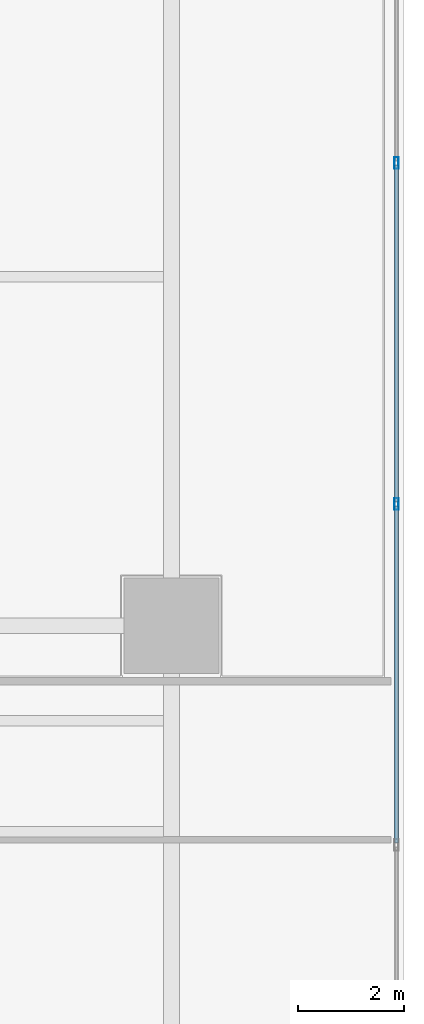
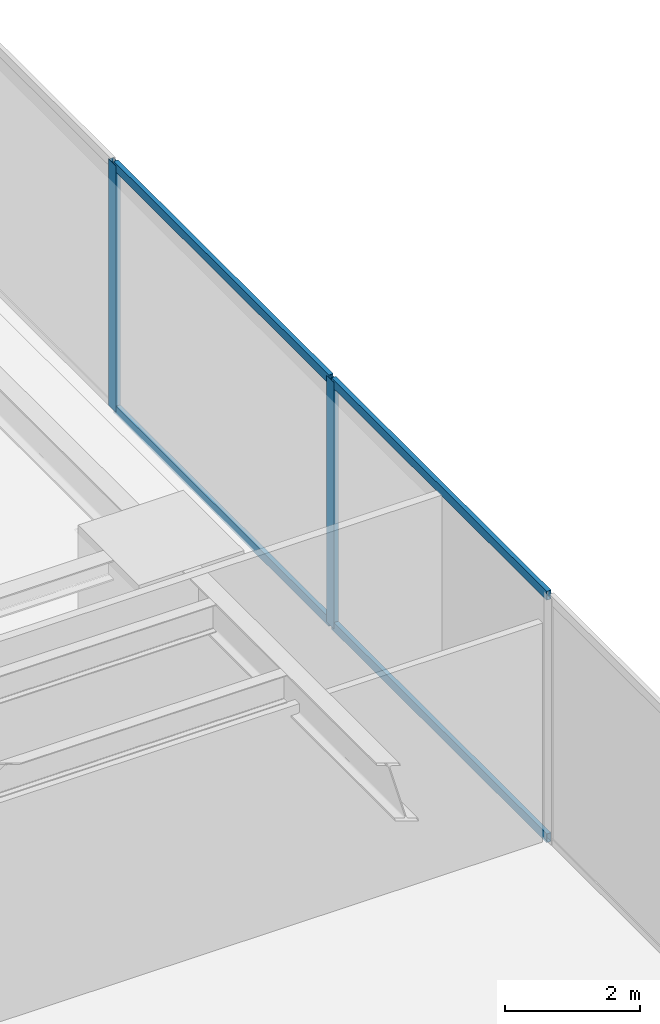
# One storey, part 9 of 16: 6 members, 1 element without a shape of its own.
"""IFC4 building model written with IfcOpenShell, lengths in metres."""

from ifc_helpers import new_model, si_unit, direction, frame, origin, origin_with_axes, origin_2d, place, context, subcontext, project, spatial, hollow_rectangle, extrude, source, transform, mapped, material, layer, layer_set, material_profile, profile_set, type_object, element, aggregate, save


model = new_model("IFC4")

# Units and contexts
model_context = context("Model", 3, precision=1e-05, world=origin(), true_north=direction((0.0, 1.0)))
body_context = subcontext(model_context, "Body", "Model", "MODEL_VIEW")
ifc_project = project(units=[si_unit("LENGTHUNIT", "METRE"), si_unit("AREAUNIT", "SQUARE_METRE"), si_unit("VOLUMEUNIT", "CUBIC_METRE"), si_unit("PLANEANGLEUNIT", "RADIAN"), si_unit("MASSUNIT", "GRAM", prefix="KILO")], contexts=[model_context])

# Site, building, storey
site_placement = place(None, origin())
site = spatial("IfcSite", under=ifc_project, at=site_placement, CompositionType="ELEMENT")
building_placement = place(site_placement, origin())
building = spatial("IfcBuilding", under=site, at=building_placement, Name="Kolvaren Waterfront Exchange", CompositionType="ELEMENT")
storey_placement = place(building_placement, frame((0.0, 0.0, 10.39990234375)))
storey = spatial("IfcBuildingStorey", under=building, at=storey_placement, Name="L03", CompositionType="ELEMENT", Elevation=10.39990234375)

# Curtain wall, members
ifc_material_1 = material(Name="Anodised bronze aluminium 6063-T6", Category="aluminium")
ifc_layer = layer(ifc_material_1, 0.219970703125, Name="Anodised bronze aluminium 6063-T6")
ifc_layer_set = layer_set([ifc_layer], Name="Anodised bronze aluminium 6063-T6")
curtain_wall_type = type_object("IfcCurtainWallType", Name="ARC-CW-SYS4", PredefinedType="USERDEFINED", material=ifc_layer_set)
curtain_wall_placement = place(storey_placement, origin())
curtain_wall = element("IfcCurtainWall", 1, at=curtain_wall_placement, inside=storey, type_object=curtain_wall_type, Name="L03 stick curtain wall CW4 (CW-L03-E1)", ObjectType="STICK CURTAIN WALL", PredefinedType="USERDEFINED")
ifc_material_2 = material(Name="Anodised aluminium 6063-T6", Category="aluminium")
ifc_material_profile_1 = material_profile(ifc_material_2, hollow_rectangle(XDim=0.074951171875, YDim=0.159912109375, WallThickness=0.00439453125, at=origin_2d()), Name="ALU-TRN-160x75x4.5")
ifc_profile_set_1 = profile_set([ifc_material_profile_1], Name="Anodised aluminium 6063-T6")
member_type_1 = type_object("IfcMemberType", Name="ARC-CWT-160", PredefinedType="USERDEFINED", material=ifc_profile_set_1)
shared_shape_1 = source(origin_with_axes(), body_context, "Body", "SweptSolid", [
    extrude(hollow_rectangle(XDim=0.074951171875, YDim=0.159912109375, WallThickness=0.00439453125, at=origin_2d()), origin(), (0.0, 0.0, 1.0), 6.371826171875),
])
member_1_placement = place(storey_placement, frame((64.659912109375, 13.293212890625, 0.03759765625), z_axis=(0.0, 1.0, 0.0), x_axis=(-1.0, 0.0, 0.0)))
member_1 = element("IfcMember", 2, at=member_1_placement, type_object=member_type_1, Name="CW4 transom 3.1", ObjectType="TRANSOM", PredefinedType="USERDEFINED", context=body_context, shape_type="MappedRepresentation", body=[
    mapped(shared_shape_1, transform((0.0, 0.0, 0.0), x_axis=(1.0, 0.0, 0.0), y_axis=(0.0, 1.0, 0.0), z_axis=(0.0, 0.0, 1.0), scale=1.0)),
])
member_2_placement = place(storey_placement, frame((64.659912109375, 13.293212890625, 4.422607421875), z_axis=(0.0, 1.0, 0.0), x_axis=(-1.0, 0.0, 0.0)))
member_2 = element("IfcMember", 3, at=member_2_placement, type_object=member_type_1, Name="CW4 transom 3.2", ObjectType="TRANSOM", PredefinedType="USERDEFINED", context=body_context, shape_type="MappedRepresentation", body=[
    mapped(shared_shape_1, transform((0.0, 0.0, 0.0), x_axis=(1.0, 0.0, 0.0), y_axis=(0.0, 1.0, 0.0), z_axis=(0.0, 0.0, 1.0), scale=1.0)),
])
shared_shape_2 = source(origin_with_axes(), body_context, "Body", "SweptSolid", [
    extrude(hollow_rectangle(XDim=0.074951171875, YDim=0.159912109375, WallThickness=0.00439453125, at=origin_2d()), origin(), (0.0, 0.0, 1.0), 6.37158203125),
])
member_3_placement = place(storey_placement, frame((64.659912109375, 19.7451171875, 0.03759765625), z_axis=(0.0, 1.0, 0.0), x_axis=(-1.0, 0.0, 0.0)))
member_3 = element("IfcMember", 4, at=member_3_placement, type_object=member_type_1, Name="CW4 transom 4.1", ObjectType="TRANSOM", PredefinedType="USERDEFINED", context=body_context, shape_type="MappedRepresentation", body=[
    mapped(shared_shape_2, transform((0.0, 0.0, 0.0), x_axis=(1.0, 0.0, 0.0), y_axis=(0.0, 1.0, 0.0), z_axis=(0.0, 0.0, 1.0), scale=1.0)),
])
member_4_placement = place(storey_placement, frame((64.659912109375, 19.7451171875, 4.422607421875), z_axis=(0.0, 1.0, 0.0), x_axis=(-1.0, 0.0, 0.0)))
member_4 = element("IfcMember", 5, at=member_4_placement, type_object=member_type_1, Name="CW4 transom 4.2", ObjectType="TRANSOM", PredefinedType="USERDEFINED", context=body_context, shape_type="MappedRepresentation", body=[
    mapped(shared_shape_2, transform((0.0, 0.0, 0.0), x_axis=(1.0, 0.0, 0.0), y_axis=(0.0, 1.0, 0.0), z_axis=(0.0, 0.0, 1.0), scale=1.0)),
])
ifc_material_profile_2 = material_profile(ifc_material_2, hollow_rectangle(XDim=0.080078125, YDim=0.219970703125, WallThickness=0.0048828125, at=origin_2d()), Name="ALU-MUL-220x80x5")
ifc_profile_set_2 = profile_set([ifc_material_profile_2], Name="Anodised aluminium 6063-T6")
member_type_2 = type_object("IfcMemberType", Name="ARC-CWM-220", PredefinedType="MULLION", material=ifc_profile_set_2)
shared_shape_3 = source(origin_with_axes(), body_context, "Body", "SweptSolid", [
    extrude(hollow_rectangle(XDim=0.080078125, YDim=0.219970703125, WallThickness=0.0048828125, at=origin_2d()), origin(), (0.0, 0.0, 1.0), 4.460205078125),
])
member_5_placement = place(storey_placement, frame((64.659912109375, 19.705078125, 0.0), z_axis=(0.0, 0.0, 1.0), x_axis=(-1.0, 0.0, 0.0)))
member_5 = element("IfcMember", 6, at=member_5_placement, type_object=member_type_2, Name="CW4 mullion 4", PredefinedType="MULLION", context=body_context, shape_type="MappedRepresentation", body=[
    mapped(shared_shape_3, transform((0.0, 0.0, 0.0), x_axis=(1.0, 0.0, 0.0), y_axis=(0.0, 1.0, 0.0), z_axis=(0.0, 0.0, 1.0), scale=1.0)),
])
member_6_placement = place(storey_placement, frame((64.659912109375, 26.15673828125, 0.0), z_axis=(0.0, 0.0, 1.0), x_axis=(-1.0, 0.0, 0.0)))
member_6 = element("IfcMember", 7, at=member_6_placement, type_object=member_type_2, Name="CW4 mullion 5", PredefinedType="MULLION", context=body_context, shape_type="MappedRepresentation", body=[
    mapped(shared_shape_3, transform((0.0, 0.0, 0.0), x_axis=(1.0, 0.0, 0.0), y_axis=(0.0, 1.0, 0.0), z_axis=(0.0, 0.0, 1.0), scale=1.0)),
])
aggregate(curtain_wall, [member_5, member_6, member_1, member_2, member_3, member_4])

save(model, "model.ifc")
